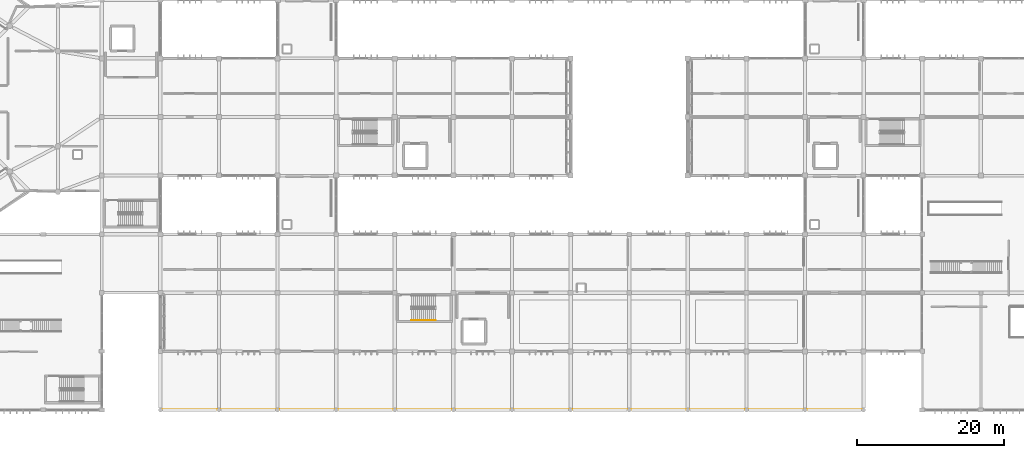
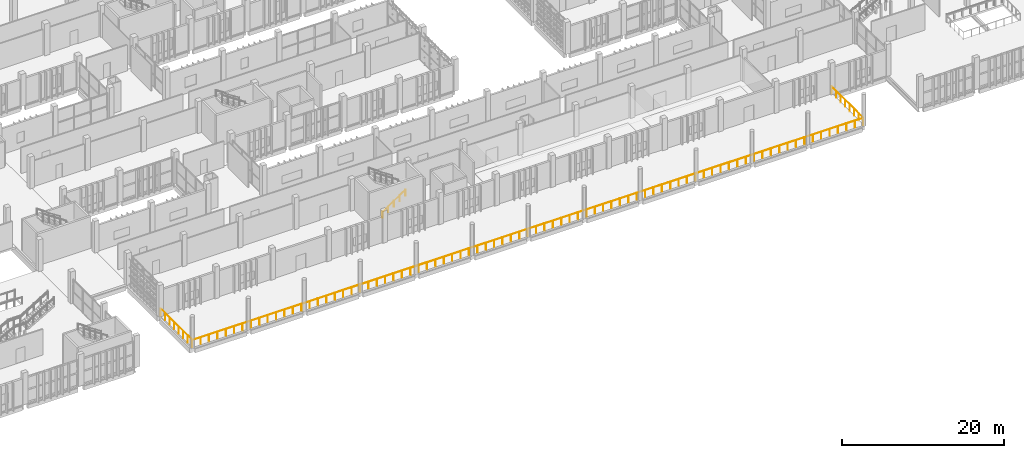
# One storey, part 99 of 106: 2 railings.
"""IFC4 building model written with IfcOpenShell, lengths in metres."""

from ifc_helpers import new_model, si_unit, direction, frame, origin, origin_2d, place, context, subcontext, project, spatial, circle, extrude, material, type_object, element, save


model = new_model("IFC4")

# Units and contexts
model_context = context("Model", 3, precision=1e-05, world=origin(), true_north=direction((0.0, 1.0)))
body_context = subcontext(model_context, "Body", "Model", "MODEL_VIEW")
ifc_project = project(units=[si_unit("LENGTHUNIT", "METRE"), si_unit("AREAUNIT", "SQUARE_METRE"), si_unit("VOLUMEUNIT", "CUBIC_METRE"), si_unit("PLANEANGLEUNIT", "RADIAN"), si_unit("MASSUNIT", "GRAM", prefix="KILO")], contexts=[model_context])

# Site, building, storey
site_placement = place(None, origin())
site = spatial("IfcSite", under=ifc_project, at=site_placement, CompositionType="ELEMENT")
building_placement = place(site_placement, origin())
building = spatial("IfcBuilding", under=site, at=building_placement, Name="Jelvoka-Kovrelna Polytechnic", CompositionType="ELEMENT")
storey_placement = place(building_placement, frame((0.0, 0.0, 4.800048828125)))
storey = spatial("IfcBuildingStorey", under=building, at=storey_placement, Name="L02", CompositionType="ELEMENT", Elevation=4.800048828125)

# Railings
ifc_material_1 = material(Name="Brushed stainless steel handrail", Category="steel")
railing_type_1 = type_object("IfcRailingType", Name="Railing_Stair_Handrail_900", PredefinedType="HANDRAIL", material=ifc_material_1)
railing_1_placement = place(storey_placement, frame((90.25, 12.25, 0.1845703125)))
element("IfcRailing", 1, at=railing_1_placement, inside=storey, type_object=railing_type_1, Name="L02 ST06 stair handrail 1", PredefinedType="HANDRAIL", context=body_context, shape_type="SweptSolid", body=[
    extrude(circle(Radius=0.02392578125, at=origin_2d()), frame((0.0, 0.0, 0.8759765625), z_axis=(0.830269453126, 0.0, 0.557362211857), x_axis=(0.0, 1.0, 0.0)), (0.0, 0.0, 1.0), 3.974609375),
    extrude(circle(Radius=0.02099609375, at=origin_2d()), origin(), (0.0, 0.0, 1.0), 0.851806640625),
    extrude(circle(Radius=0.02099609375, at=origin_2d()), frame((0.824951171875, 0.0, 0.5537109375)), (0.0, 0.0, 1.0), 0.851806640625),
    extrude(circle(Radius=0.02099609375, at=origin_2d()), frame((1.64990234375, 0.0, 1.107666015625)), (0.0, 0.0, 1.0), 0.851806640625),
    extrude(circle(Radius=0.02099609375, at=origin_2d()), frame((2.47509765625, 0.0, 1.66162109375)), (0.0, 0.0, 1.0), 0.851806640625),
    extrude(circle(Radius=0.02099609375, at=origin_2d()), frame((3.300048828125, 0.0, 2.21533203125)), (0.0, 0.0, 1.0), 0.851806640625),
])
ifc_material_2 = material(Name="Brushed stainless steel Grade 316", Category="steel")
railing_type_2 = type_object("IfcRailingType", Name="Railing_Terrace_Guard_1100", PredefinedType="GUARDRAIL", material=ifc_material_2)
railing_2_placement = place(storey_placement, frame((56.050048828125, 7.89990234375, 0.0)))
element("IfcRailing", 2, at=railing_2_placement, inside=storey, type_object=railing_type_2, Name="L02 south colonnade promenade continuous guard", PredefinedType="GUARDRAIL", context=body_context, shape_type="SweptSolid", body=[
    extrude(circle(Radius=0.02392578125, at=origin_2d()), frame((0.0, 0.0, 1.076171875), z_axis=(0.0, -1.0, 0.0), x_axis=(1.0, 0.0, 0.0)), (0.0, 0.0, 1.0), 7.81982421875),
    extrude(circle(Radius=0.02392578125, at=origin_2d()), frame((0.0, -7.81982421875, 1.076171875), z_axis=(1.0, 0.0, 0.0), x_axis=(0.0, 1.0, 0.0)), (0.0, 0.0, 1.0), 95.89990234375),
    extrude(circle(Radius=0.02392578125, at=origin_2d()), frame((95.89990234375, -7.81982421875, 1.076171875), z_axis=(0.0, 1.0, 0.0), x_axis=(-1.0, 0.0, 0.0)), (0.0, 0.0, 1.0), 7.81982421875),
    extrude(circle(Radius=0.02099609375, at=origin_2d()), origin(), (0.0, 0.0, 1.0), 1.052001953125),
    extrude(circle(Radius=0.02099609375, at=origin_2d()), frame((0.0, -1.1171875, 0.0)), (0.0, 0.0, 1.0), 1.052001953125),
    extrude(circle(Radius=0.02099609375, at=origin_2d()), frame((0.0, -2.234130859375, 0.0)), (0.0, 0.0, 1.0), 1.052001953125),
    extrude(circle(Radius=0.02099609375, at=origin_2d()), frame((0.0, -3.351318359375, 0.0)), (0.0, 0.0, 1.0), 1.052001953125),
    extrude(circle(Radius=0.02099609375, at=origin_2d()), frame((0.0, -4.468505859375, 0.0)), (0.0, 0.0, 1.0), 1.052001953125),
    extrude(circle(Radius=0.02099609375, at=origin_2d()), frame((0.0, -5.585693359375, 0.0)), (0.0, 0.0, 1.0), 1.052001953125),
    extrude(circle(Radius=0.02099609375, at=origin_2d()), frame((0.0, -6.70263671875, 0.0)), (0.0, 0.0, 1.0), 1.052001953125),
    extrude(circle(Radius=0.02099609375, at=origin_2d()), frame((0.0, -7.81982421875, 0.0)), (0.0, 0.0, 1.0), 1.052001953125),
    extrude(circle(Radius=0.02099609375, at=origin_2d()), frame((1.19873046875, -7.81982421875, 0.0)), (0.0, 0.0, 1.0), 1.052001953125),
    extrude(circle(Radius=0.02099609375, at=origin_2d()), frame((2.3974609375, -7.81982421875, 0.0)), (0.0, 0.0, 1.0), 1.052001953125),
    extrude(circle(Radius=0.02099609375, at=origin_2d()), frame((3.59619140625, -7.81982421875, 0.0)), (0.0, 0.0, 1.0), 1.052001953125),
    extrude(circle(Radius=0.02099609375, at=origin_2d()), frame((4.794921875, -7.81982421875, 0.0)), (0.0, 0.0, 1.0), 1.052001953125),
    extrude(circle(Radius=0.02099609375, at=origin_2d()), frame((5.99365234375, -7.81982421875, 0.0)), (0.0, 0.0, 1.0), 1.052001953125),
    extrude(circle(Radius=0.02099609375, at=origin_2d()), frame((7.1923828125, -7.81982421875, 0.0)), (0.0, 0.0, 1.0), 1.052001953125),
    extrude(circle(Radius=0.02099609375, at=origin_2d()), frame((8.391357421875, -7.81982421875, 0.0)), (0.0, 0.0, 1.0), 1.052001953125),
    extrude(circle(Radius=0.02099609375, at=origin_2d()), frame((9.590087890625, -7.81982421875, 0.0)), (0.0, 0.0, 1.0), 1.052001953125),
    extrude(circle(Radius=0.02099609375, at=origin_2d()), frame((10.788818359375, -7.81982421875, 0.0)), (0.0, 0.0, 1.0), 1.052001953125),
    extrude(circle(Radius=0.02099609375, at=origin_2d()), frame((11.987548828125, -7.81982421875, 0.0)), (0.0, 0.0, 1.0), 1.052001953125),
    extrude(circle(Radius=0.02099609375, at=origin_2d()), frame((13.186279296875, -7.81982421875, 0.0)), (0.0, 0.0, 1.0), 1.052001953125),
    extrude(circle(Radius=0.02099609375, at=origin_2d()), frame((14.385009765625, -7.81982421875, 0.0)), (0.0, 0.0, 1.0), 1.052001953125),
    extrude(circle(Radius=0.02099609375, at=origin_2d()), frame((15.583740234375, -7.81982421875, 0.0)), (0.0, 0.0, 1.0), 1.052001953125),
    extrude(circle(Radius=0.02099609375, at=origin_2d()), frame((16.782470703125, -7.81982421875, 0.0)), (0.0, 0.0, 1.0), 1.052001953125),
    extrude(circle(Radius=0.02099609375, at=origin_2d()), frame((17.981201171875, -7.81982421875, 0.0)), (0.0, 0.0, 1.0), 1.052001953125),
    extrude(circle(Radius=0.02099609375, at=origin_2d()), frame((19.179931640625, -7.81982421875, 0.0)), (0.0, 0.0, 1.0), 1.052001953125),
    extrude(circle(Radius=0.02099609375, at=origin_2d()), frame((20.378662109375, -7.81982421875, 0.0)), (0.0, 0.0, 1.0), 1.052001953125),
    extrude(circle(Radius=0.02099609375, at=origin_2d()), frame((21.577392578125, -7.81982421875, 0.0)), (0.0, 0.0, 1.0), 1.052001953125),
    extrude(circle(Radius=0.02099609375, at=origin_2d()), frame((22.776123046875, -7.81982421875, 0.0)), (0.0, 0.0, 1.0), 1.052001953125),
    extrude(circle(Radius=0.02099609375, at=origin_2d()), frame((23.97509765625, -7.81982421875, 0.0)), (0.0, 0.0, 1.0), 1.052001953125),
    extrude(circle(Radius=0.02099609375, at=origin_2d()), frame((25.173828125, -7.81982421875, 0.0)), (0.0, 0.0, 1.0), 1.052001953125),
    extrude(circle(Radius=0.02099609375, at=origin_2d()), frame((26.37255859375, -7.81982421875, 0.0)), (0.0, 0.0, 1.0), 1.052001953125),
    extrude(circle(Radius=0.02099609375, at=origin_2d()), frame((27.5712890625, -7.81982421875, 0.0)), (0.0, 0.0, 1.0), 1.052001953125),
    extrude(circle(Radius=0.02099609375, at=origin_2d()), frame((28.77001953125, -7.81982421875, 0.0)), (0.0, 0.0, 1.0), 1.052001953125),
    extrude(circle(Radius=0.02099609375, at=origin_2d()), frame((29.96875, -7.81982421875, 0.0)), (0.0, 0.0, 1.0), 1.052001953125),
    extrude(circle(Radius=0.02099609375, at=origin_2d()), frame((31.16748046875, -7.81982421875, 0.0)), (0.0, 0.0, 1.0), 1.052001953125),
    extrude(circle(Radius=0.02099609375, at=origin_2d()), frame((32.3662109375, -7.81982421875, 0.0)), (0.0, 0.0, 1.0), 1.052001953125),
    extrude(circle(Radius=0.02099609375, at=origin_2d()), frame((33.56494140625, -7.81982421875, 0.0)), (0.0, 0.0, 1.0), 1.052001953125),
    extrude(circle(Radius=0.02099609375, at=origin_2d()), frame((34.763671875, -7.81982421875, 0.0)), (0.0, 0.0, 1.0), 1.052001953125),
    extrude(circle(Radius=0.02099609375, at=origin_2d()), frame((35.96240234375, -7.81982421875, 0.0)), (0.0, 0.0, 1.0), 1.052001953125),
    extrude(circle(Radius=0.02099609375, at=origin_2d()), frame((37.1611328125, -7.81982421875, 0.0)), (0.0, 0.0, 1.0), 1.052001953125),
    extrude(circle(Radius=0.02099609375, at=origin_2d()), frame((38.35986328125, -7.81982421875, 0.0)), (0.0, 0.0, 1.0), 1.052001953125),
    extrude(circle(Radius=0.02099609375, at=origin_2d()), frame((39.55859375, -7.81982421875, 0.0)), (0.0, 0.0, 1.0), 1.052001953125),
    extrude(circle(Radius=0.02099609375, at=origin_2d()), frame((40.757568359375, -7.81982421875, 0.0)), (0.0, 0.0, 1.0), 1.052001953125),
    extrude(circle(Radius=0.02099609375, at=origin_2d()), frame((41.956298828125, -7.81982421875, 0.0)), (0.0, 0.0, 1.0), 1.052001953125),
    extrude(circle(Radius=0.02099609375, at=origin_2d()), frame((43.155029296875, -7.81982421875, 0.0)), (0.0, 0.0, 1.0), 1.052001953125),
    extrude(circle(Radius=0.02099609375, at=origin_2d()), frame((44.353759765625, -7.81982421875, 0.0)), (0.0, 0.0, 1.0), 1.052001953125),
    extrude(circle(Radius=0.02099609375, at=origin_2d()), frame((45.552490234375, -7.81982421875, 0.0)), (0.0, 0.0, 1.0), 1.052001953125),
    extrude(circle(Radius=0.02099609375, at=origin_2d()), frame((46.751220703125, -7.81982421875, 0.0)), (0.0, 0.0, 1.0), 1.052001953125),
    extrude(circle(Radius=0.02099609375, at=origin_2d()), frame((47.949951171875, -7.81982421875, 0.0)), (0.0, 0.0, 1.0), 1.052001953125),
    extrude(circle(Radius=0.02099609375, at=origin_2d()), frame((49.148681640625, -7.81982421875, 0.0)), (0.0, 0.0, 1.0), 1.052001953125),
    extrude(circle(Radius=0.02099609375, at=origin_2d()), frame((50.347412109375, -7.81982421875, 0.0)), (0.0, 0.0, 1.0), 1.052001953125),
    extrude(circle(Radius=0.02099609375, at=origin_2d()), frame((51.546142578125, -7.81982421875, 0.0)), (0.0, 0.0, 1.0), 1.052001953125),
    extrude(circle(Radius=0.02099609375, at=origin_2d()), frame((52.744873046875, -7.81982421875, 0.0)), (0.0, 0.0, 1.0), 1.052001953125),
    extrude(circle(Radius=0.02099609375, at=origin_2d()), frame((53.943603515625, -7.81982421875, 0.0)), (0.0, 0.0, 1.0), 1.052001953125),
    extrude(circle(Radius=0.02099609375, at=origin_2d()), frame((55.142333984375, -7.81982421875, 0.0)), (0.0, 0.0, 1.0), 1.052001953125),
    extrude(circle(Radius=0.02099609375, at=origin_2d()), frame((56.34130859375, -7.81982421875, 0.0)), (0.0, 0.0, 1.0), 1.052001953125),
    extrude(circle(Radius=0.02099609375, at=origin_2d()), frame((57.5400390625, -7.81982421875, 0.0)), (0.0, 0.0, 1.0), 1.052001953125),
    extrude(circle(Radius=0.02099609375, at=origin_2d()), frame((58.73876953125, -7.81982421875, 0.0)), (0.0, 0.0, 1.0), 1.052001953125),
    extrude(circle(Radius=0.02099609375, at=origin_2d()), frame((59.9375, -7.81982421875, 0.0)), (0.0, 0.0, 1.0), 1.052001953125),
    extrude(circle(Radius=0.02099609375, at=origin_2d()), frame((61.13623046875, -7.81982421875, 0.0)), (0.0, 0.0, 1.0), 1.052001953125),
    extrude(circle(Radius=0.02099609375, at=origin_2d()), frame((62.3349609375, -7.81982421875, 0.0)), (0.0, 0.0, 1.0), 1.052001953125),
    extrude(circle(Radius=0.02099609375, at=origin_2d()), frame((63.53369140625, -7.81982421875, 0.0)), (0.0, 0.0, 1.0), 1.052001953125),
    extrude(circle(Radius=0.02099609375, at=origin_2d()), frame((64.732421875, -7.81982421875, 0.0)), (0.0, 0.0, 1.0), 1.052001953125),
    extrude(circle(Radius=0.02099609375, at=origin_2d()), frame((65.93115234375, -7.81982421875, 0.0)), (0.0, 0.0, 1.0), 1.052001953125),
    extrude(circle(Radius=0.02099609375, at=origin_2d()), frame((67.1298828125, -7.81982421875, 0.0)), (0.0, 0.0, 1.0), 1.052001953125),
    extrude(circle(Radius=0.02099609375, at=origin_2d()), frame((68.32861328125, -7.81982421875, 0.0)), (0.0, 0.0, 1.0), 1.052001953125),
    extrude(circle(Radius=0.02099609375, at=origin_2d()), frame((69.52734375, -7.81982421875, 0.0)), (0.0, 0.0, 1.0), 1.052001953125),
    extrude(circle(Radius=0.02099609375, at=origin_2d()), frame((70.72607421875, -7.81982421875, 0.0)), (0.0, 0.0, 1.0), 1.052001953125),
    extrude(circle(Radius=0.02099609375, at=origin_2d()), frame((71.9248046875, -7.81982421875, 0.0)), (0.0, 0.0, 1.0), 1.052001953125),
    extrude(circle(Radius=0.02099609375, at=origin_2d()), frame((73.123779296875, -7.81982421875, 0.0)), (0.0, 0.0, 1.0), 1.052001953125),
    extrude(circle(Radius=0.02099609375, at=origin_2d()), frame((74.322509765625, -7.81982421875, 0.0)), (0.0, 0.0, 1.0), 1.052001953125),
    extrude(circle(Radius=0.02099609375, at=origin_2d()), frame((75.521240234375, -7.81982421875, 0.0)), (0.0, 0.0, 1.0), 1.052001953125),
    extrude(circle(Radius=0.02099609375, at=origin_2d()), frame((76.719970703125, -7.81982421875, 0.0)), (0.0, 0.0, 1.0), 1.052001953125),
    extrude(circle(Radius=0.02099609375, at=origin_2d()), frame((77.918701171875, -7.81982421875, 0.0)), (0.0, 0.0, 1.0), 1.052001953125),
    extrude(circle(Radius=0.02099609375, at=origin_2d()), frame((79.117431640625, -7.81982421875, 0.0)), (0.0, 0.0, 1.0), 1.052001953125),
    extrude(circle(Radius=0.02099609375, at=origin_2d()), frame((80.316162109375, -7.81982421875, 0.0)), (0.0, 0.0, 1.0), 1.052001953125),
    extrude(circle(Radius=0.02099609375, at=origin_2d()), frame((81.514892578125, -7.81982421875, 0.0)), (0.0, 0.0, 1.0), 1.052001953125),
    extrude(circle(Radius=0.02099609375, at=origin_2d()), frame((82.713623046875, -7.81982421875, 0.0)), (0.0, 0.0, 1.0), 1.052001953125),
    extrude(circle(Radius=0.02099609375, at=origin_2d()), frame((83.912353515625, -7.81982421875, 0.0)), (0.0, 0.0, 1.0), 1.052001953125),
    extrude(circle(Radius=0.02099609375, at=origin_2d()), frame((85.111083984375, -7.81982421875, 0.0)), (0.0, 0.0, 1.0), 1.052001953125),
    extrude(circle(Radius=0.02099609375, at=origin_2d()), frame((86.309814453125, -7.81982421875, 0.0)), (0.0, 0.0, 1.0), 1.052001953125),
    extrude(circle(Radius=0.02099609375, at=origin_2d()), frame((87.508544921875, -7.81982421875, 0.0)), (0.0, 0.0, 1.0), 1.052001953125),
    extrude(circle(Radius=0.02099609375, at=origin_2d()), frame((88.70751953125, -7.81982421875, 0.0)), (0.0, 0.0, 1.0), 1.052001953125),
    extrude(circle(Radius=0.02099609375, at=origin_2d()), frame((89.90625, -7.81982421875, 0.0)), (0.0, 0.0, 1.0), 1.052001953125),
    extrude(circle(Radius=0.02099609375, at=origin_2d()), frame((91.10498046875, -7.81982421875, 0.0)), (0.0, 0.0, 1.0), 1.052001953125),
    extrude(circle(Radius=0.02099609375, at=origin_2d()), frame((92.3037109375, -7.81982421875, 0.0)), (0.0, 0.0, 1.0), 1.052001953125),
    extrude(circle(Radius=0.02099609375, at=origin_2d()), frame((93.50244140625, -7.81982421875, 0.0)), (0.0, 0.0, 1.0), 1.052001953125),
    extrude(circle(Radius=0.02099609375, at=origin_2d()), frame((94.701171875, -7.81982421875, 0.0)), (0.0, 0.0, 1.0), 1.052001953125),
    extrude(circle(Radius=0.02099609375, at=origin_2d()), frame((95.89990234375, -7.81982421875, 0.0)), (0.0, 0.0, 1.0), 1.052001953125),
    extrude(circle(Radius=0.02099609375, at=origin_2d()), frame((95.89990234375, -6.70263671875, 0.0)), (0.0, 0.0, 1.0), 1.052001953125),
    extrude(circle(Radius=0.02099609375, at=origin_2d()), frame((95.89990234375, -5.585693359375, 0.0)), (0.0, 0.0, 1.0), 1.052001953125),
    extrude(circle(Radius=0.02099609375, at=origin_2d()), frame((95.89990234375, -4.468505859375, 0.0)), (0.0, 0.0, 1.0), 1.052001953125),
    extrude(circle(Radius=0.02099609375, at=origin_2d()), frame((95.89990234375, -3.351318359375, 0.0)), (0.0, 0.0, 1.0), 1.052001953125),
    extrude(circle(Radius=0.02099609375, at=origin_2d()), frame((95.89990234375, -2.234130859375, 0.0)), (0.0, 0.0, 1.0), 1.052001953125),
    extrude(circle(Radius=0.02099609375, at=origin_2d()), frame((95.89990234375, -1.1171875, 0.0)), (0.0, 0.0, 1.0), 1.052001953125),
    extrude(circle(Radius=0.02099609375, at=origin_2d()), frame((95.89990234375, 0.0, 0.0)), (0.0, 0.0, 1.0), 1.052001953125),
])

save(model, "model.ifc")
